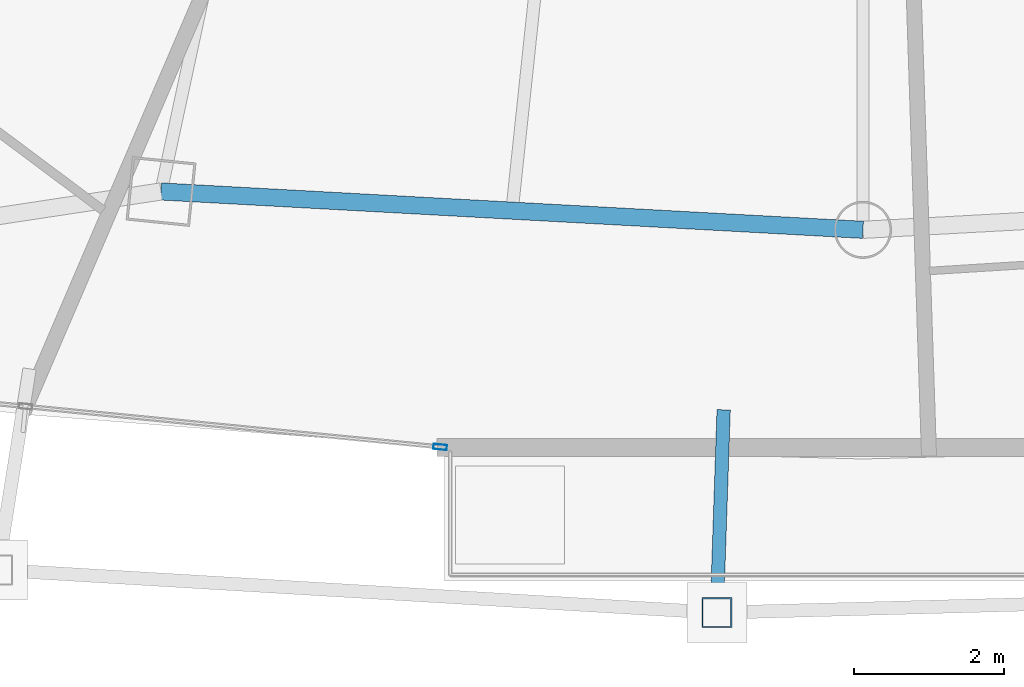
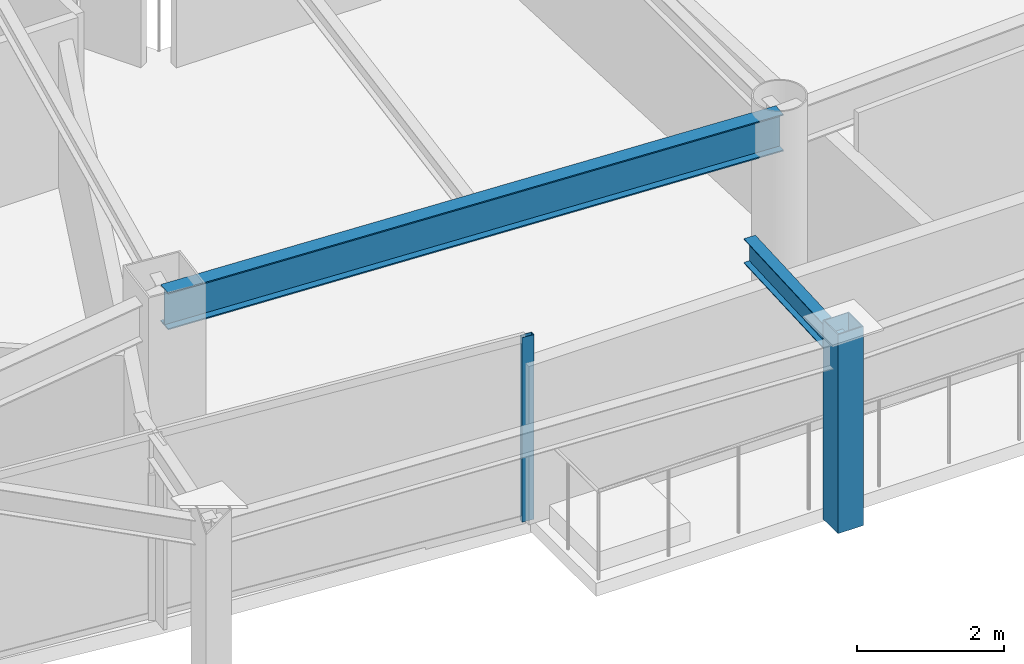
# One storey, part 7 of 29: 2 beams, 2 members, 1 element without a shape of its own.
"""IFC4 building model written with IfcOpenShell, lengths in metres."""

from ifc_helpers import new_model, si_unit, direction, frame, origin, origin_2d, place, context, subcontext, project, spatial, hollow_rectangle, i_section, extrude, material, layer, layer_set, material_profile, profile_set, type_object, element, aggregate, save


model = new_model("IFC4")

# Units and contexts
model_context = context("Model", 3, precision=1e-05, world=origin(), true_north=direction((0.0, 1.0)))
body_context = subcontext(model_context, "Body", "Model", "MODEL_VIEW")
ifc_project = project(units=[si_unit("LENGTHUNIT", "METRE"), si_unit("AREAUNIT", "SQUARE_METRE"), si_unit("VOLUMEUNIT", "CUBIC_METRE"), si_unit("PLANEANGLEUNIT", "RADIAN"), si_unit("MASSUNIT", "GRAM", prefix="KILO")], contexts=[model_context])

# Site, building, storey
site_placement = place(None, origin())
site = spatial("IfcSite", under=ifc_project, at=site_placement, CompositionType="ELEMENT")
building_placement = place(site_placement, origin())
building = spatial("IfcBuilding", under=site, at=building_placement, Name="Orvanel Arch Residences", CompositionType="ELEMENT")
storey_placement = place(building_placement, frame((0.0, 0.0, 177.050048828125)))
storey = spatial("IfcBuildingStorey", under=building, at=storey_placement, Name="L50", CompositionType="ELEMENT", Elevation=177.050048828125)

# Curtain wall, member
ifc_material_1 = material(Name="Bronze-anodised aluminium AA6063-T6", Category="aluminium")
ifc_layer = layer(ifc_material_1, 0.179931640625)
ifc_layer_set = layer_set([ifc_layer], Name="Bronze-anodised aluminium AA6063-T6")
curtain_wall_type = type_object("IfcCurtainWallType", Name="CW3-MID-SYS", PredefinedType="NOTDEFINED", material=ifc_layer_set)
curtain_wall_placement = place(storey_placement, origin())
curtain_wall = element("IfcCurtainWall", 1, at=curtain_wall_placement, inside=storey, type_object=curtain_wall_type, Name="L50 CW3-MID-SYS Unitised Curtain Wall", PredefinedType="NOTDEFINED")
ifc_material_profile_1 = material_profile(ifc_material_1, hollow_rectangle(XDim=0.070068359375, YDim=0.179931640625, WallThickness=0.00439453125, at=origin_2d()), Name="ALU180x70x4.5")
ifc_profile_set_1 = profile_set([ifc_material_profile_1], Name="Bronze-anodised aluminium AA6063-T6")
member_type_1 = type_object("IfcMemberType", Name="MUL-180x70", PredefinedType="MULLION", material=ifc_profile_set_1)
member_1_placement = place(storey_placement, frame((27.3671875, 3.950439453125, 0.0), z_axis=(0.0, 0.0, 1.0), x_axis=(0.097491445455, 0.995236362912, 0.0)))
member_1 = element("IfcMember", 2, at=member_1_placement, type_object=member_type_1, Name="CW-S3 mullion 3", PredefinedType="MULLION", context=body_context, shape_type="SweptSolid", body=[
    extrude(hollow_rectangle(XDim=0.070068359375, YDim=0.179931640625, WallThickness=0.00439453125, at=origin_2d()), origin(), (0.0, 0.0, 1.0), 3.06005859375),
])
aggregate(curtain_wall, [member_1])

# Beams
ifc_material_2 = material(Name="Structural steel AS/NZS 3679.1 Grade 300 (300 MPa)", Category="steel")
ifc_material_profile_2 = material_profile(ifc_material_2, i_section(OverallWidth=0.177978515625, OverallDepth=0.406005859375, WebThickness=0.0078125, FlangeThickness=0.0126953125, at=origin_2d()), Name="410UB59.7")
ifc_profile_set_2 = profile_set([ifc_material_profile_2], Name="Structural steel AS/NZS 3679.1 Grade 300 (300 MPa)")
beam_type_1 = type_object("IfcBeamType", Name="OB-410UB-EXT", PredefinedType="SPANDREL", material=ifc_profile_set_2)
beam_1_placement = place(storey_placement, frame((31.14404296875, 4.446044921875, 2.85693359375), z_axis=(-0.033681637561, -0.999432612681, 0.0), x_axis=(0.999432612681, -0.033681637561, 0.0)))
element("IfcBeam", 3, at=beam_1_placement, inside=storey, type_object=beam_type_1, Name="L50 Outer Frame Radial Tie Beam 06", PredefinedType="SPANDREL", context=body_context, shape_type="SweptSolid", body=[
    extrude(i_section(OverallWidth=0.177978515625, OverallDepth=0.406005859375, WebThickness=0.0078125, FlangeThickness=0.0126953125, at=origin_2d()), origin(), (0.0, 0.0, 1.0), 2.70361328125),
])
ifc_material_profile_3 = material_profile(ifc_material_2, i_section(OverallWidth=0.22900390625, OverallDepth=0.612060546875, WebThickness=0.011962890625, FlangeThickness=0.01953125, at=origin_2d()), Name="610UB125")
ifc_profile_set_3 = profile_set([ifc_material_profile_3], Name="Structural steel AS/NZS 3679.1 Grade 300 (300 MPa)")
beam_type_2 = type_object("IfcBeamType", Name="SP-610UB", PredefinedType="SPANDREL", material=ifc_profile_set_3)
beam_2_placement = place(storey_placement, frame((23.64892578125, 7.35498046875, 2.75390625), z_axis=(0.998510315598, -0.054563262768, 0.0), x_axis=(0.054563262768, 0.998510315598, 0.0)))
element("IfcBeam", 4, at=beam_2_placement, inside=storey, type_object=beam_type_2, Name="L50 Perimeter Spandrel Beam 05", PredefinedType="SPANDREL", context=body_context, shape_type="SweptSolid", body=[
    extrude(i_section(OverallWidth=0.22900390625, OverallDepth=0.612060546875, WebThickness=0.011962890625, FlangeThickness=0.01953125, at=origin_2d()), origin(), (0.0, 0.0, 1.0), 9.364990234375),
])

# Member
ifc_material_3 = material(Name="Structural steel AS/NZS 1163 C450L0 (Grade 450)", Category="steel")
ifc_material_profile_4 = material_profile(ifc_material_3, hollow_rectangle(XDim=0.39990234375, YDim=0.39990234375, WallThickness=0.01611328125, at=origin_2d()), Name="SHS400x400x16")
ifc_profile_set_4 = profile_set([ifc_material_profile_4], Name="Structural steel AS/NZS 1163 C450L0 (Grade 450)")
member_type_2 = type_object("IfcMemberType", Name="ST-400SHS-EXT", PredefinedType="STRUT", material=ifc_profile_set_4)
member_2_placement = place(storey_placement, frame((31.052978515625, 1.743896484375, 0.0), z_axis=(0.0, 0.0, 1.0), x_axis=(1.0, 0.0, 0.0)))
element("IfcMember", 5, at=member_2_placement, inside=storey, type_object=member_type_2, Name="L50 Outer Perimeter Frame Post 06", PredefinedType="STRUT", context=body_context, shape_type="SweptSolid", body=[
    extrude(hollow_rectangle(XDim=0.39990234375, YDim=0.39990234375, WallThickness=0.01611328125, at=origin_2d()), origin(), (0.0, 0.0, 1.0), 3.300048828125),
])

save(model, "model.ifc")
